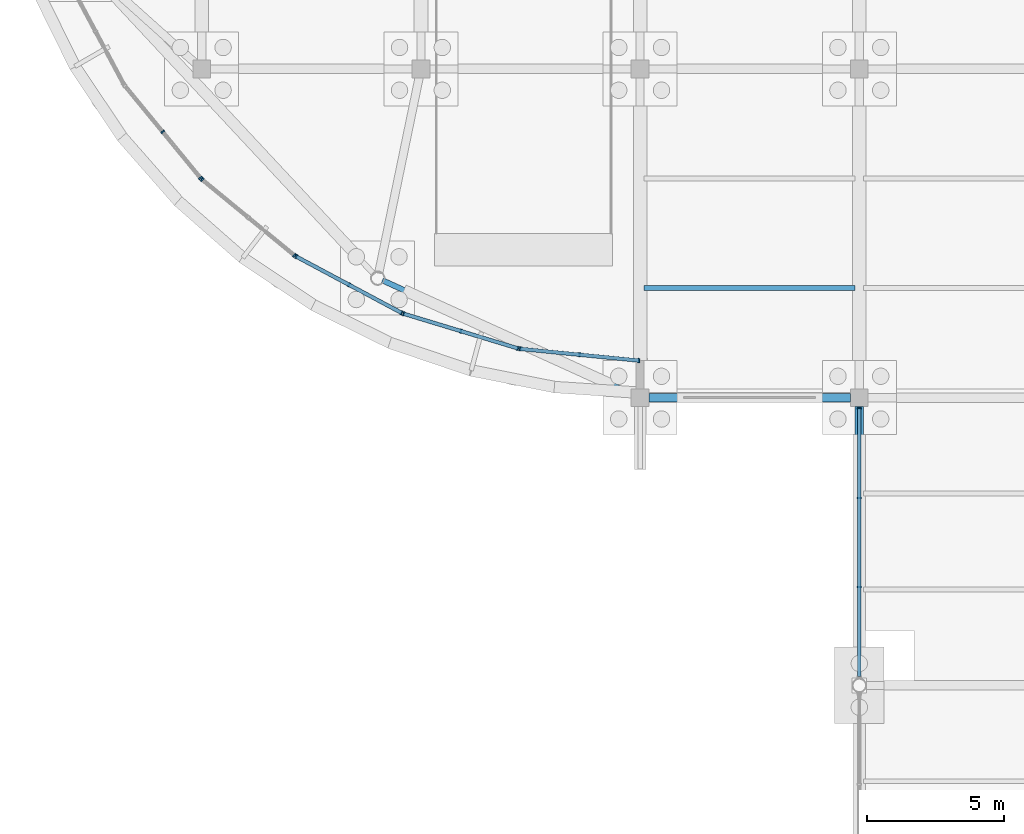
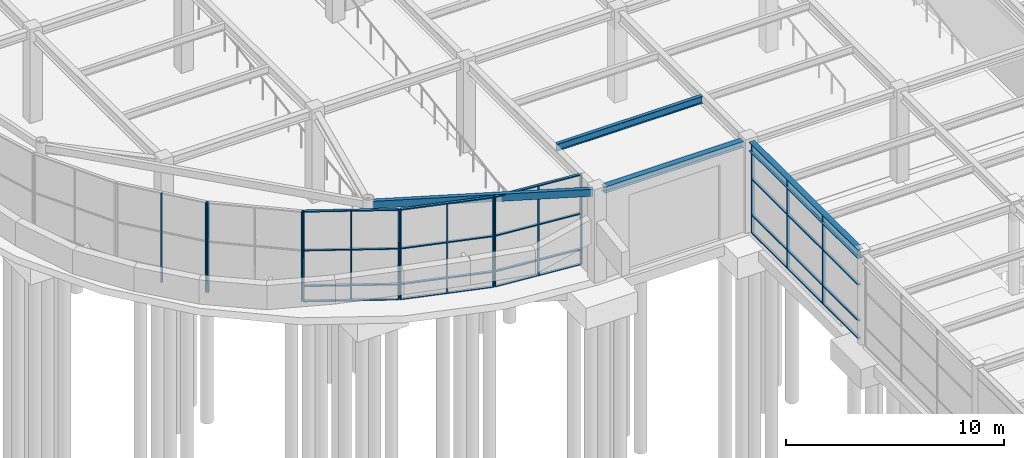
# One storey, part 25 of 85: 32 members, 4 beams, 6 elements without a shape of their own.
"""IFC4 building model written with IfcOpenShell, lengths in metres."""

from ifc_helpers import new_model, si_unit, direction, frame, origin, origin_2d, place, context, subcontext, project, spatial, rectangle, hollow_rectangle, i_section, extrude, material, layer, layer_set, material_profile, profile_set, type_object, element, aggregate, save


model = new_model("IFC4")

# Units and contexts
model_context = context("Model", 3, precision=1e-05, world=origin(), true_north=direction((0.0, 1.0)))
body_context = subcontext(model_context, "Body", "Model", "MODEL_VIEW")
ifc_project = project(units=[si_unit("LENGTHUNIT", "METRE"), si_unit("AREAUNIT", "SQUARE_METRE"), si_unit("VOLUMEUNIT", "CUBIC_METRE"), si_unit("PLANEANGLEUNIT", "RADIAN"), si_unit("MASSUNIT", "GRAM", prefix="KILO")], contexts=[model_context])

# Site, building, storey
site_placement = place(None, origin())
site = spatial("IfcSite", under=ifc_project, at=site_placement, CompositionType="ELEMENT")
building_placement = place(site_placement, origin())
building = spatial("IfcBuilding", under=site, at=building_placement, Name="Keelwater Ferry Terminal", CompositionType="ELEMENT")
storey_placement = place(building_placement, origin())
storey = spatial("IfcBuildingStorey", under=building, at=storey_placement, Name="L00", CompositionType="ELEMENT", Elevation=0.0)

# Curtain wall, members
ifc_material_1 = material(Name="Thermally broken unitised aluminium and triple glass", Category="aluminium")
ifc_layer_1 = layer(ifc_material_1, 0.179931640625)
ifc_layer_set_1 = layer_set([ifc_layer_1], Name="Thermally broken unitised aluminium and triple glass")
curtain_wall_type_1 = type_object("IfcCurtainWallType", Name="CW-10 Unitised Curtain Wall 9771x4950", PredefinedType="USERDEFINED", material=ifc_layer_set_1)
curtain_wall_1_placement = place(storey_placement, origin())
curtain_wall_1 = element("IfcCurtainWall", 1, at=curtain_wall_1_placement, inside=storey, type_object=curtain_wall_type_1, Name="Unitised Curtain Wall CW-L00-051", ObjectType="UNITISED CURTAIN WALL", PredefinedType="USERDEFINED")
ifc_material_2 = material(Name="Aluminium mullion", Category="aluminium")
ifc_material_profile_1 = material_profile(ifc_material_2, rectangle(XDim=0.06005859375, YDim=0.14990234375, at=origin_2d()), Name="CWM-03")
ifc_profile_set_1 = profile_set([ifc_material_profile_1], Name="Aluminium mullion")
member_type_1 = type_object("IfcMemberType", Name="CWM-03 Curtain Mullion 60x150", PredefinedType="MULLION", material=ifc_profile_set_1)
member_1_placement = place(storey_placement, frame((32.0, 35.0859375, 0.0), z_axis=(0.0, 0.0, 1.0), x_axis=(0.0, 1.0, 0.0)))
member_1 = element("IfcMember", 2, at=member_1_placement, type_object=member_type_1, Name="CW-L00-051 Mullion 2", PredefinedType="MULLION", context=body_context, shape_type="SweptSolid", body=[
    extrude(rectangle(XDim=0.06005859375, YDim=0.14990234375, at=origin_2d()), origin(), (0.0, 0.0, 1.0), 4.949951171875),
])
member_2_placement = place(storey_placement, frame((32.0, 38.343017578125, 0.0), z_axis=(0.0, 0.0, 1.0), x_axis=(0.0, 1.0, 0.0)))
member_2 = element("IfcMember", 3, at=member_2_placement, type_object=member_type_1, Name="CW-L00-051 Mullion 3", PredefinedType="MULLION", context=body_context, shape_type="SweptSolid", body=[
    extrude(rectangle(XDim=0.06005859375, YDim=0.14990234375, at=origin_2d()), origin(), (0.0, 0.0, 1.0), 4.949951171875),
])
member_3_placement = place(storey_placement, frame((32.0, 41.60009765625, 0.0), z_axis=(0.0, 0.0, 1.0), x_axis=(0.0, 1.0, 0.0)))
member_3 = element("IfcMember", 4, at=member_3_placement, type_object=member_type_1, Name="CW-L00-051 Mullion 4", PredefinedType="MULLION", context=body_context, shape_type="SweptSolid", body=[
    extrude(rectangle(XDim=0.06005859375, YDim=0.14990234375, at=origin_2d()), origin(), (0.0, 0.0, 1.0), 4.949951171875),
])

ifc_material_3 = material(Name="Thermally broken unitised aluminium and triple glass", Category="aluminium")
ifc_layer_2 = layer(ifc_material_3, 0.179931640625)
ifc_layer_set_2 = layer_set([ifc_layer_2], Name="Thermally broken unitised aluminium and triple glass")
curtain_wall_type_2 = type_object("IfcCurtainWallType", Name="CW-16 Unitised Curtain Wall 4350x5020", PredefinedType="USERDEFINED", material=ifc_layer_set_2)
curtain_wall_2_placement = place(storey_placement, origin())
curtain_wall_2 = element("IfcCurtainWall", 5, at=curtain_wall_2_placement, inside=storey, type_object=curtain_wall_type_2, Name="Unitised Curtain Wall CW-L00-088", ObjectType="UNITISED CURTAIN WALL", PredefinedType="USERDEFINED")
member_4_placement = place(storey_placement, frame((6.575439453125, 51.699951171875, 0.0), z_axis=(0.0, 0.0, 1.0), x_axis=(0.634376508991, -0.773024220086, 0.0)))
member_4 = element("IfcMember", 6, at=member_4_placement, type_object=member_type_1, Name="CW-L00-088 Mullion 2", PredefinedType="MULLION", context=body_context, shape_type="SweptSolid", body=[
    extrude(rectangle(XDim=0.06005859375, YDim=0.14990234375, at=origin_2d()), origin(), (0.0, 0.0, 1.0), 5.02001953125),
])
member_5_placement = place(storey_placement, frame((7.955078125, 50.01904296875, 0.0), z_axis=(0.0, 0.0, 1.0), x_axis=(0.634376508991, -0.773024220086, 0.0)))
member_5 = element("IfcMember", 7, at=member_5_placement, type_object=member_type_1, Name="CW-L00-088 Mullion 3", PredefinedType="MULLION", context=body_context, shape_type="SweptSolid", body=[
    extrude(rectangle(XDim=0.06005859375, YDim=0.14990234375, at=origin_2d()), origin(), (0.0, 0.0, 1.0), 5.02001953125),
])
aggregate(curtain_wall_2, [member_4, member_5])

curtain_wall_3_placement = place(storey_placement, origin())
curtain_wall_3 = element("IfcCurtainWall", 8, at=curtain_wall_3_placement, inside=storey, type_object=curtain_wall_type_2, Name="Unitised Curtain Wall CW-L00-089", ObjectType="UNITISED CURTAIN WALL", PredefinedType="USERDEFINED")
member_6_placement = place(storey_placement, frame((8.01904296875, 49.955078125, 0.0), z_axis=(0.0, 0.0, 1.0), x_axis=(0.773024220086, -0.634376508991, 0.0)))
member_6 = element("IfcMember", 9, at=member_6_placement, type_object=member_type_1, Name="CW-L00-089 Mullion 1", PredefinedType="MULLION", context=body_context, shape_type="SweptSolid", body=[
    extrude(rectangle(XDim=0.06005859375, YDim=0.14990234375, at=origin_2d()), origin(), (0.0, 0.0, 1.0), 5.02001953125),
])
member_7_placement = place(storey_placement, frame((11.381103515625, 47.196044921875, 0.0), z_axis=(0.0, 0.0, 1.0), x_axis=(0.773024220086, -0.634376508991, 0.0)))
member_7 = element("IfcMember", 10, at=member_7_placement, type_object=member_type_1, Name="CW-L00-089 Mullion 3", PredefinedType="MULLION", context=body_context, shape_type="SweptSolid", body=[
    extrude(rectangle(XDim=0.06005859375, YDim=0.14990234375, at=origin_2d()), origin(), (0.0, 0.0, 1.0), 5.02001953125),
])
aggregate(curtain_wall_3, [member_6, member_7])

curtain_wall_4_placement = place(storey_placement, origin())
curtain_wall_4 = element("IfcCurtainWall", 11, at=curtain_wall_4_placement, inside=storey, type_object=curtain_wall_type_2, Name="Unitised Curtain Wall CW-L00-090", ObjectType="UNITISED CURTAIN WALL", PredefinedType="USERDEFINED")
member_8_placement = place(storey_placement, frame((11.4560546875, 47.14599609375, 0.0), z_axis=(0.0, 0.0, 1.0), x_axis=(0.881862452632, -0.471506749303, 0.0)))
member_8 = element("IfcMember", 12, at=member_8_placement, type_object=member_type_1, Name="CW-L00-090 Mullion 1", PredefinedType="MULLION", context=body_context, shape_type="SweptSolid", body=[
    extrude(rectangle(XDim=0.06005859375, YDim=0.14990234375, at=origin_2d()), origin(), (0.0, 0.0, 1.0), 5.02001953125),
])
member_9_placement = place(storey_placement, frame((13.3740234375, 46.12060546875, 0.0), z_axis=(0.0, 0.0, 1.0), x_axis=(0.881862452632, -0.471506749303, 0.0)))
member_9 = element("IfcMember", 13, at=member_9_placement, type_object=member_type_1, Name="CW-L00-090 Mullion 2", PredefinedType="MULLION", context=body_context, shape_type="SweptSolid", body=[
    extrude(rectangle(XDim=0.06005859375, YDim=0.14990234375, at=origin_2d()), origin(), (0.0, 0.0, 1.0), 5.02001953125),
])
member_10_placement = place(storey_placement, frame((15.2919921875, 45.094970703125, 0.0), z_axis=(0.0, 0.0, 1.0), x_axis=(0.881862452632, -0.471506749303, 0.0)))
member_10 = element("IfcMember", 14, at=member_10_placement, type_object=member_type_1, Name="CW-L00-090 Mullion 3", PredefinedType="MULLION", context=body_context, shape_type="SweptSolid", body=[
    extrude(rectangle(XDim=0.06005859375, YDim=0.14990234375, at=origin_2d()), origin(), (0.0, 0.0, 1.0), 5.02001953125),
])

curtain_wall_5_placement = place(storey_placement, origin())
curtain_wall_5 = element("IfcCurtainWall", 15, at=curtain_wall_5_placement, inside=storey, type_object=curtain_wall_type_2, Name="Unitised Curtain Wall CW-L00-091", ObjectType="UNITISED CURTAIN WALL", PredefinedType="USERDEFINED")
member_11_placement = place(storey_placement, frame((15.375, 45.06103515625, 0.0), z_axis=(0.0, 0.0, 1.0), x_axis=(0.956929623319, -0.290319989003, 0.0)))
member_11 = element("IfcMember", 16, at=member_11_placement, type_object=member_type_1, Name="CW-L00-091 Mullion 1", PredefinedType="MULLION", context=body_context, shape_type="SweptSolid", body=[
    extrude(rectangle(XDim=0.06005859375, YDim=0.14990234375, at=origin_2d()), origin(), (0.0, 0.0, 1.0), 5.02001953125),
])
member_12_placement = place(storey_placement, frame((17.45654296875, 44.429443359375, 0.0), z_axis=(0.0, 0.0, 1.0), x_axis=(0.956929623319, -0.290319989003, 0.0)))
member_12 = element("IfcMember", 17, at=member_12_placement, type_object=member_type_1, Name="CW-L00-091 Mullion 2", PredefinedType="MULLION", context=body_context, shape_type="SweptSolid", body=[
    extrude(rectangle(XDim=0.06005859375, YDim=0.14990234375, at=origin_2d()), origin(), (0.0, 0.0, 1.0), 5.02001953125),
])
member_13_placement = place(storey_placement, frame((19.5380859375, 43.798095703125, 0.0), z_axis=(0.0, 0.0, 1.0), x_axis=(0.956929623319, -0.290319989003, 0.0)))
member_13 = element("IfcMember", 18, at=member_13_placement, type_object=member_type_1, Name="CW-L00-091 Mullion 3", PredefinedType="MULLION", context=body_context, shape_type="SweptSolid", body=[
    extrude(rectangle(XDim=0.06005859375, YDim=0.14990234375, at=origin_2d()), origin(), (0.0, 0.0, 1.0), 5.02001953125),
])

curtain_wall_6_placement = place(storey_placement, origin())
curtain_wall_6 = element("IfcCurtainWall", 19, at=curtain_wall_6_placement, inside=storey, type_object=curtain_wall_type_2, Name="Unitised Curtain Wall CW-L00-092", ObjectType="UNITISED CURTAIN WALL", PredefinedType="USERDEFINED")
member_14_placement = place(storey_placement, frame((19.6259765625, 43.781005859375, 0.0), z_axis=(0.0, 0.0, 1.0), x_axis=(0.995170573079, -0.098160737969, 0.0)))
member_14 = element("IfcMember", 20, at=member_14_placement, type_object=member_type_1, Name="CW-L00-092 Mullion 1", PredefinedType="MULLION", context=body_context, shape_type="SweptSolid", body=[
    extrude(rectangle(XDim=0.06005859375, YDim=0.14990234375, at=origin_2d()), origin(), (0.0, 0.0, 1.0), 5.02001953125),
])
member_15_placement = place(storey_placement, frame((21.79052734375, 43.5673828125, 0.0), z_axis=(0.0, 0.0, 1.0), x_axis=(0.995170573079, -0.098160737969, 0.0)))
member_15 = element("IfcMember", 21, at=member_15_placement, type_object=member_type_1, Name="CW-L00-092 Mullion 2", PredefinedType="MULLION", context=body_context, shape_type="SweptSolid", body=[
    extrude(rectangle(XDim=0.06005859375, YDim=0.14990234375, at=origin_2d()), origin(), (0.0, 0.0, 1.0), 5.02001953125),
])
member_16_placement = place(storey_placement, frame((23.955078125, 43.35400390625, 0.0), z_axis=(0.0, 0.0, 1.0), x_axis=(0.995170573079, -0.098160737969, 0.0)))
member_16 = element("IfcMember", 22, at=member_16_placement, type_object=member_type_1, Name="CW-L00-092 Mullion 3", PredefinedType="MULLION", context=body_context, shape_type="SweptSolid", body=[
    extrude(rectangle(XDim=0.06005859375, YDim=0.14990234375, at=origin_2d()), origin(), (0.0, 0.0, 1.0), 5.02001953125),
])

# Member
ifc_material_4 = material(Name="Aluminium mullion", Category="aluminium")
ifc_material_profile_2 = material_profile(ifc_material_4, rectangle(XDim=0.135009765625, YDim=0.06005859375, at=origin_2d()), Name="CWT-03")
ifc_profile_set_2 = profile_set([ifc_material_profile_2], Name="Aluminium mullion")
member_type_2 = type_object("IfcMemberType", Name="CWT-03 Curtain Transom 60x135", PredefinedType="USERDEFINED", material=ifc_profile_set_2)
member_17_placement = place(storey_placement, frame((32.0, 31.8291015625, 0.0), z_axis=(0.0, 1.0, 0.0), x_axis=(-1.0, 0.0, 0.0)))
member_17 = element("IfcMember", 23, at=member_17_placement, type_object=member_type_2, Name="CW-L00-051 Transom 1", ObjectType="TRANSOM", PredefinedType="USERDEFINED", context=body_context, shape_type="SweptSolid", body=[
    extrude(rectangle(XDim=0.135009765625, YDim=0.06005859375, at=origin_2d()), origin(), (0.0, 0.0, 1.0), 9.77099609375),
])

member_18_placement = place(storey_placement, frame((32.0, 31.8291015625, 1.0), z_axis=(0.0, 1.0, 0.0), x_axis=(-1.0, 0.0, 0.0)))
member_18 = element("IfcMember", 24, at=member_18_placement, type_object=member_type_2, Name="CW-L00-051 Transom 2", ObjectType="TRANSOM", PredefinedType="USERDEFINED", context=body_context, shape_type="SweptSolid", body=[
    extrude(rectangle(XDim=0.135009765625, YDim=0.06005859375, at=origin_2d()), origin(), (0.0, 0.0, 1.0), 9.77099609375),
])

member_19_placement = place(storey_placement, frame((32.0, 31.8291015625, 3.0), z_axis=(0.0, 1.0, 0.0), x_axis=(-1.0, 0.0, 0.0)))
member_19 = element("IfcMember", 25, at=member_19_placement, type_object=member_type_2, Name="CW-L00-051 Transom 3", ObjectType="TRANSOM", PredefinedType="USERDEFINED", context=body_context, shape_type="SweptSolid", body=[
    extrude(rectangle(XDim=0.135009765625, YDim=0.06005859375, at=origin_2d()), origin(), (0.0, 0.0, 1.0), 9.77099609375),
])

member_20_placement = place(storey_placement, frame((32.0, 31.8291015625, 4.949951171875), z_axis=(0.0, 1.0, 0.0), x_axis=(-1.0, 0.0, 0.0)))
member_20 = element("IfcMember", 26, at=member_20_placement, type_object=member_type_2, Name="CW-L00-051 Transom 4", ObjectType="TRANSOM", PredefinedType="USERDEFINED", context=body_context, shape_type="SweptSolid", body=[
    extrude(rectangle(XDim=0.135009765625, YDim=0.06005859375, at=origin_2d()), origin(), (0.0, 0.0, 1.0), 9.77099609375),
])

aggregate(curtain_wall_1, [member_1, member_2, member_3, member_17, member_18, member_19, member_20])

member_21_placement = place(storey_placement, frame((11.4560546875, 47.14599609375, 0.0), z_axis=(0.881856831112, -0.471517263122, 0.0), x_axis=(0.471517263122, 0.881856831112, 0.0)))
member_21 = element("IfcMember", 27, at=member_21_placement, type_object=member_type_2, Name="CW-L00-090 Transom 1", ObjectType="TRANSOM", PredefinedType="USERDEFINED", context=body_context, shape_type="SweptSolid", body=[
    extrude(rectangle(XDim=0.135009765625, YDim=0.06005859375, at=origin_2d()), origin(), (0.0, 0.0, 1.0), 4.349853515625),
])

member_22_placement = place(storey_placement, frame((11.4560546875, 47.14599609375, 0.85009765625), z_axis=(0.881856831112, -0.471517263122, 0.0), x_axis=(0.471517263122, 0.881856831112, 0.0)))
member_22 = element("IfcMember", 28, at=member_22_placement, type_object=member_type_2, Name="CW-L00-090 Transom 2", ObjectType="TRANSOM", PredefinedType="USERDEFINED", context=body_context, shape_type="SweptSolid", body=[
    extrude(rectangle(XDim=0.135009765625, YDim=0.06005859375, at=origin_2d()), origin(), (0.0, 0.0, 1.0), 4.349853515625),
])

member_23_placement = place(storey_placement, frame((11.4560546875, 47.14599609375, 2.85009765625), z_axis=(0.881856831112, -0.471517263122, 0.0), x_axis=(0.471517263122, 0.881856831112, 0.0)))
member_23 = element("IfcMember", 29, at=member_23_placement, type_object=member_type_2, Name="CW-L00-090 Transom 3", ObjectType="TRANSOM", PredefinedType="USERDEFINED", context=body_context, shape_type="SweptSolid", body=[
    extrude(rectangle(XDim=0.135009765625, YDim=0.06005859375, at=origin_2d()), origin(), (0.0, 0.0, 1.0), 4.349853515625),
])

member_24_placement = place(storey_placement, frame((11.4560546875, 47.14599609375, 5.02001953125), z_axis=(0.881856831112, -0.471517263122, 0.0), x_axis=(0.471517263122, 0.881856831112, 0.0)))
member_24 = element("IfcMember", 30, at=member_24_placement, type_object=member_type_2, Name="CW-L00-090 Transom 4", ObjectType="TRANSOM", PredefinedType="USERDEFINED", context=body_context, shape_type="SweptSolid", body=[
    extrude(rectangle(XDim=0.135009765625, YDim=0.06005859375, at=origin_2d()), origin(), (0.0, 0.0, 1.0), 4.349853515625),
])

aggregate(curtain_wall_4, [member_8, member_9, member_10, member_21, member_22, member_23, member_24])

member_25_placement = place(storey_placement, frame((15.375, 45.06103515625, 0.0), z_axis=(0.956935154583, -0.290301756665, 0.0), x_axis=(0.290301756665, 0.956935154583, 0.0)))
member_25 = element("IfcMember", 31, at=member_25_placement, type_object=member_type_2, Name="CW-L00-091 Transom 1", ObjectType="TRANSOM", PredefinedType="USERDEFINED", context=body_context, shape_type="SweptSolid", body=[
    extrude(rectangle(XDim=0.135009765625, YDim=0.06005859375, at=origin_2d()), origin(), (0.0, 0.0, 1.0), 4.350341796875),
])

member_26_placement = place(storey_placement, frame((15.375, 45.06103515625, 0.85009765625), z_axis=(0.956935154583, -0.290301756665, 0.0), x_axis=(0.290301756665, 0.956935154583, 0.0)))
member_26 = element("IfcMember", 32, at=member_26_placement, type_object=member_type_2, Name="CW-L00-091 Transom 2", ObjectType="TRANSOM", PredefinedType="USERDEFINED", context=body_context, shape_type="SweptSolid", body=[
    extrude(rectangle(XDim=0.135009765625, YDim=0.06005859375, at=origin_2d()), origin(), (0.0, 0.0, 1.0), 4.350341796875),
])

member_27_placement = place(storey_placement, frame((15.375, 45.06103515625, 2.85009765625), z_axis=(0.956935154583, -0.290301756665, 0.0), x_axis=(0.290301756665, 0.956935154583, 0.0)))
member_27 = element("IfcMember", 33, at=member_27_placement, type_object=member_type_2, Name="CW-L00-091 Transom 3", ObjectType="TRANSOM", PredefinedType="USERDEFINED", context=body_context, shape_type="SweptSolid", body=[
    extrude(rectangle(XDim=0.135009765625, YDim=0.06005859375, at=origin_2d()), origin(), (0.0, 0.0, 1.0), 4.350341796875),
])

member_28_placement = place(storey_placement, frame((15.375, 45.06103515625, 5.02001953125), z_axis=(0.956935154583, -0.290301756665, 0.0), x_axis=(0.290301756665, 0.956935154583, 0.0)))
member_28 = element("IfcMember", 34, at=member_28_placement, type_object=member_type_2, Name="CW-L00-091 Transom 4", ObjectType="TRANSOM", PredefinedType="USERDEFINED", context=body_context, shape_type="SweptSolid", body=[
    extrude(rectangle(XDim=0.135009765625, YDim=0.06005859375, at=origin_2d()), origin(), (0.0, 0.0, 1.0), 4.350341796875),
])

aggregate(curtain_wall_5, [member_11, member_12, member_13, member_25, member_26, member_27, member_28])

member_29_placement = place(storey_placement, frame((19.6259765625, 43.781005859375, 0.0), z_axis=(0.995170754178, -0.098158901932, 0.0), x_axis=(0.098158901932, 0.995170754178, 0.0)))
member_29 = element("IfcMember", 35, at=member_29_placement, type_object=member_type_2, Name="CW-L00-092 Transom 1", ObjectType="TRANSOM", PredefinedType="USERDEFINED", context=body_context, shape_type="SweptSolid", body=[
    extrude(rectangle(XDim=0.135009765625, YDim=0.06005859375, at=origin_2d()), origin(), (0.0, 0.0, 1.0), 4.35009765625),
])

member_30_placement = place(storey_placement, frame((19.6259765625, 43.781005859375, 0.85009765625), z_axis=(0.995170754178, -0.098158901932, 0.0), x_axis=(0.098158901932, 0.995170754178, 0.0)))
member_30 = element("IfcMember", 36, at=member_30_placement, type_object=member_type_2, Name="CW-L00-092 Transom 2", ObjectType="TRANSOM", PredefinedType="USERDEFINED", context=body_context, shape_type="SweptSolid", body=[
    extrude(rectangle(XDim=0.135009765625, YDim=0.06005859375, at=origin_2d()), origin(), (0.0, 0.0, 1.0), 4.35009765625),
])

member_31_placement = place(storey_placement, frame((19.6259765625, 43.781005859375, 2.85009765625), z_axis=(0.995170754178, -0.098158901932, 0.0), x_axis=(0.098158901932, 0.995170754178, 0.0)))
member_31 = element("IfcMember", 37, at=member_31_placement, type_object=member_type_2, Name="CW-L00-092 Transom 3", ObjectType="TRANSOM", PredefinedType="USERDEFINED", context=body_context, shape_type="SweptSolid", body=[
    extrude(rectangle(XDim=0.135009765625, YDim=0.06005859375, at=origin_2d()), origin(), (0.0, 0.0, 1.0), 4.35009765625),
])

member_32_placement = place(storey_placement, frame((19.6259765625, 43.781005859375, 5.02001953125), z_axis=(0.995170754178, -0.098158901932, 0.0), x_axis=(0.098158901932, 0.995170754178, 0.0)))
member_32 = element("IfcMember", 38, at=member_32_placement, type_object=member_type_2, Name="CW-L00-092 Transom 4", ObjectType="TRANSOM", PredefinedType="USERDEFINED", context=body_context, shape_type="SweptSolid", body=[
    extrude(rectangle(XDim=0.135009765625, YDim=0.06005859375, at=origin_2d()), origin(), (0.0, 0.0, 1.0), 4.35009765625),
])

aggregate(curtain_wall_6, [member_14, member_15, member_16, member_29, member_30, member_31, member_32])

# Beams
ifc_material_5 = material(Name="Steel S355", Category="steel")
ifc_material_profile_3 = material_profile(ifc_material_5, i_section(OverallWidth=0.300048828125, OverallDepth=0.5, WebThickness=0.014404296875, FlangeThickness=0.028076171875, at=origin_2d()), Name="HEB 500")
ifc_profile_set_3 = profile_set([ifc_material_profile_3], Name="Steel S355")
beam_type_1 = type_object("IfcBeamType", Name="G5E HEB 500", PredefinedType="BEAM", material=ifc_profile_set_3)
beam_1_placement = place(storey_placement, frame((32.0, 31.7080078125, 4.81005859375), z_axis=(0.0, 1.0, 0.0), x_axis=(-1.0, 0.0, 0.0)))
element("IfcBeam", 39, at=beam_1_placement, inside=storey, type_object=beam_type_1, Name="Beam BM-L00-0167", PredefinedType="BEAM", context=body_context, shape_type="SweptSolid", body=[
    extrude(i_section(OverallWidth=0.300048828125, OverallDepth=0.5, WebThickness=0.014404296875, FlangeThickness=0.028076171875, at=origin_2d()), origin(), (0.0, 0.0, 1.0), 9.973876953125),
])
ifc_material_6 = material(Name="Steel S355", Category="steel")
ifc_material_profile_4 = material_profile(ifc_material_6, i_section(OverallWidth=0.179931640625, OverallDepth=0.39990234375, WebThickness=0.008544921875, FlangeThickness=0.013427734375, at=origin_2d()), Name="IPE 400")
ifc_profile_set_4 = profile_set([ifc_material_profile_4], Name="Steel S355")
beam_type_2 = type_object("IfcBeamType", Name="J5 IPE 400", PredefinedType="JOIST", material=ifc_profile_set_4)
beam_2_placement = place(storey_placement, frame((24.14990234375, 46.0, 4.860107421875), z_axis=(1.0, 0.0, 0.0), x_axis=(0.0, 1.0, 0.0)))
element("IfcBeam", 40, at=beam_2_placement, inside=storey, type_object=beam_type_2, Name="Beam BM-L00-0308", PredefinedType="JOIST", context=body_context, shape_type="SweptSolid", body=[
    extrude(i_section(OverallWidth=0.179931640625, OverallDepth=0.39990234375, WebThickness=0.008544921875, FlangeThickness=0.013427734375, at=origin_2d()), origin(), (0.0, 0.0, 1.0), 7.7001953125),
])
ifc_material_7 = material(Name="Steel S355", Category="steel")
ifc_material_profile_5 = material_profile(ifc_material_7, i_section(OverallWidth=0.300048828125, OverallDepth=0.35009765625, WebThickness=0.010009765625, FlangeThickness=0.017578125, at=origin_2d()), Name="HEA 360")
ifc_profile_set_5 = profile_set([ifc_material_profile_5], Name="Steel S355")
beam_type_3 = type_object("IfcBeamType", Name="SP1E HEA 360", PredefinedType="SPANDREL", material=ifc_profile_set_5)
beam_3_placement = place(storey_placement, frame((24.318115234375, 42.0, 4.885009765625), z_axis=(1.0, 0.0, 0.0), x_axis=(0.0, 1.0, 0.0)))
element("IfcBeam", 41, at=beam_3_placement, inside=storey, type_object=beam_type_3, Name="Beam BM-L00-0017", PredefinedType="SPANDREL", context=body_context, shape_type="SweptSolid", body=[
    extrude(i_section(OverallWidth=0.300048828125, OverallDepth=0.35009765625, WebThickness=0.010009765625, FlangeThickness=0.017578125, at=origin_2d()), origin(), (0.0, 0.0, 1.0), 7.36376953125),
])
ifc_material_8 = material(Name="Steel S355", Category="steel")
ifc_material_profile_6 = material_profile(ifc_material_8, hollow_rectangle(XDim=0.199951171875, YDim=0.39990234375, WallThickness=0.01611328125, at=origin_2d()), Name="RHS 400x200x16")
ifc_profile_set_6 = profile_set([ifc_material_profile_6], Name="Steel S355")
beam_type_4 = type_object("IfcBeamType", Name="SP3E RHS 400x200x16", PredefinedType="SPANDREL", material=ifc_profile_set_6)
beam_4_placement = place(storey_placement, frame((14.594970703125, 46.281982421875, 4.860107421875), z_axis=(0.910123163328, -0.414337818181, 0.0), x_axis=(0.414337818181, 0.910123163328, 0.0)))
element("IfcBeam", 42, at=beam_4_placement, inside=storey, type_object=beam_type_4, Name="Beam BM-L00-0590", PredefinedType="SPANDREL", context=body_context, shape_type="SweptSolid", body=[
    extrude(hollow_rectangle(XDim=0.199951171875, YDim=0.39990234375, WallThickness=0.01611328125, at=origin_2d()), origin(), (0.0, 0.0, 1.0), 10.1435546875),
])

save(model, "model.ifc")
